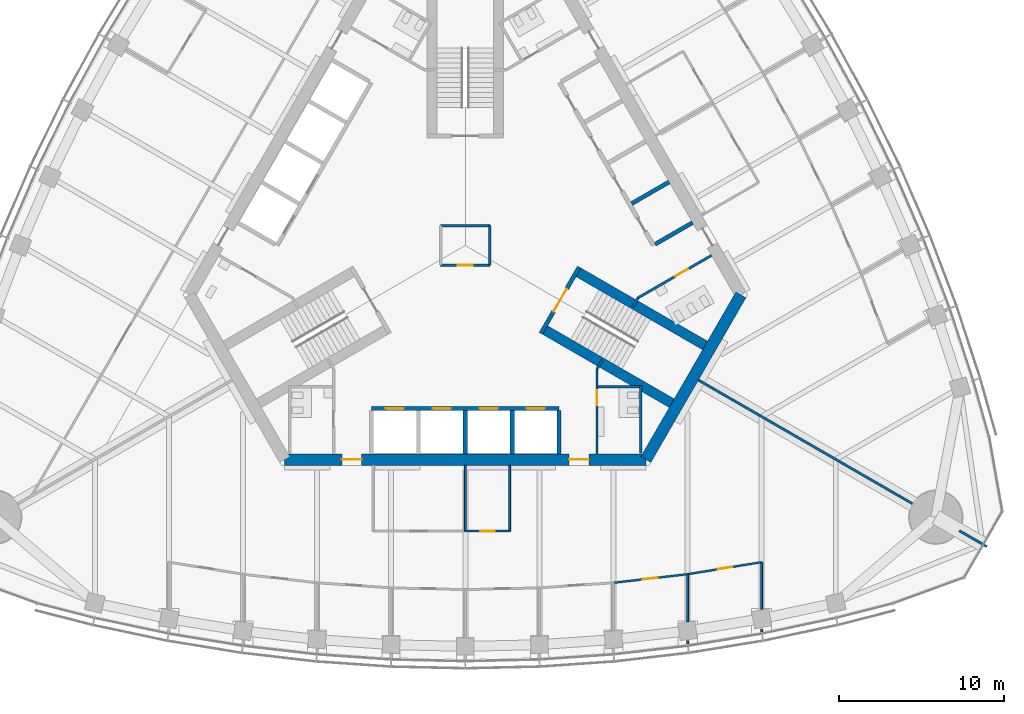
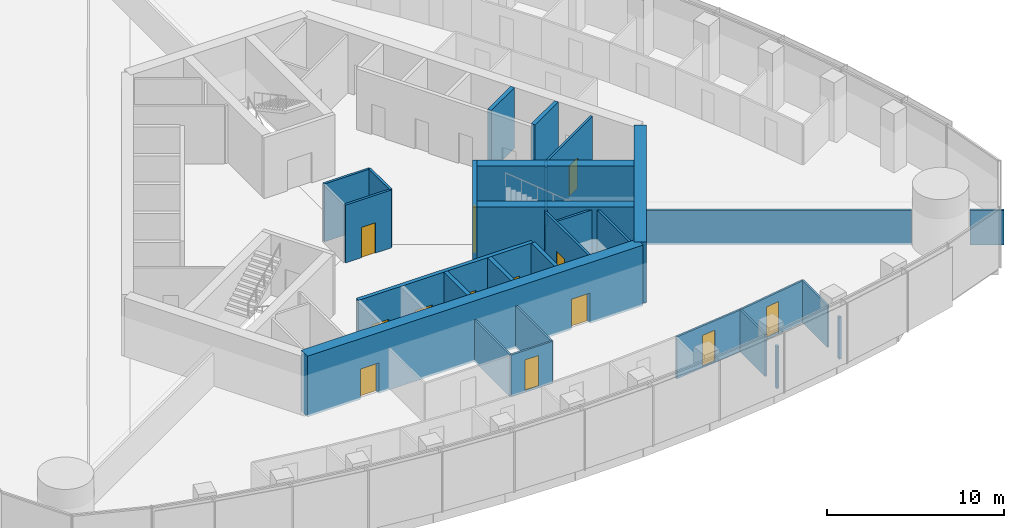
# One storey, part 12 of 20: 31 walls, 13 doors, 13 openings.
"""IFC4 building model written with IfcOpenShell, lengths in metres."""

from ifc_helpers import new_model, si_unit, direction, frame, frame_2d, origin, place, context, subcontext, project, spatial, rectangle, extrude, material, layer, layer_set, type_object, element, fill, save


model = new_model("IFC4")

# Units and contexts
model_context = context("Model", 3, precision=1e-05, world=origin(), true_north=direction((0.0, 1.0)))
body_context = subcontext(model_context, "Body", "Model", "MODEL_VIEW")
ifc_project = project(units=[si_unit("LENGTHUNIT", "METRE"), si_unit("AREAUNIT", "SQUARE_METRE"), si_unit("VOLUMEUNIT", "CUBIC_METRE"), si_unit("PLANEANGLEUNIT", "RADIAN"), si_unit("MASSUNIT", "GRAM", prefix="KILO")], contexts=[model_context])

# Site, building, storey
site_placement = place(None, origin())
site = spatial("IfcSite", under=ifc_project, at=site_placement, CompositionType="ELEMENT")
building_placement = place(site_placement, origin())
building = spatial("IfcBuilding", under=site, at=building_placement, Name="Trefoil Bronze Tower", CompositionType="ELEMENT")
storey_placement = place(building_placement, frame((0.0, 0.0, 231.699951171875)))
storey = spatial("IfcBuildingStorey", under=building, at=storey_placement, Name="L53", CompositionType="ELEMENT", Elevation=231.699951171875)

# Wall, openings, doors
ifc_material_1 = material(Name="Concrete B80", Category="concrete")
ifc_layer_1 = layer(ifc_material_1, 0.699951171875)
ifc_layer_set_1 = layer_set([ifc_layer_1], Name="Core wall 700")
wall_type_1 = type_object("IfcWallType", Name="Core wall 700", PredefinedType="SHEAR", material=ifc_layer_set_1)
wall_1_placement = place(storey_placement, frame((-10.9697265625, -13.0, 0.0), z_axis=(0.0, 0.0, 1.0), x_axis=(1.0, 0.0, 0.0)))
wall_1 = element("IfcWall", 1, at=wall_1_placement, inside=storey, type_object=wall_type_1, Name="Core long wall 1 L53", PredefinedType="SHEAR", context=body_context, shape_type="SweptSolid", body=[
    extrude(rectangle(XDim=21.939453125, YDim=0.699951171875, at=frame_2d((10.9697265625, 0.0))), origin(), (0.0, 0.0, 1.0), 4.199951171875),
])
opening_1_placement = place(wall_1_placement, frame((17.269775390625, 0.0, 0.0)))
opening_1 = element("IfcOpeningElement", 2, at=opening_1_placement, cuts=wall_1, Name="Opening D2", PredefinedType="OPENING", context=body_context, shape_type="SweptSolid", body=[
    extrude(rectangle(XDim=1.199951171875, YDim=2.10009765625, at=frame_2d((0.60009765625, 1.050048828125))), frame((0.0, 0.35986328125, 0.0), z_axis=(0.0, -1.0, 0.0), x_axis=(1.0, 0.0, 0.0)), (0.0, 0.0, 1.0), 0.719970703125),
])
opening_2_placement = place(wall_1_placement, frame((3.4697265625, 0.0, 0.0)))
opening_2 = element("IfcOpeningElement", 3, at=opening_2_placement, cuts=wall_1, Name="Opening D2", PredefinedType="OPENING", context=body_context, shape_type="SweptSolid", body=[
    extrude(rectangle(XDim=1.199951171875, YDim=2.10009765625, at=frame_2d((0.60009765625, 1.050048828125))), frame((0.0, 0.35986328125, 0.0), z_axis=(0.0, -1.0, 0.0), x_axis=(1.0, 0.0, 0.0)), (0.0, 0.0, 1.0), 0.719970703125),
])
ifc_material_2 = material(Name="Steel door", Category="steel")
door_type_1 = type_object("IfcDoorType", Name="Lobby door 1200", OperationType="SINGLE_SWING_RIGHT", PredefinedType="DOOR", material=ifc_material_2)
door_1_placement = place(opening_1_placement, origin())
door_1 = element("IfcDoor", 4, at=door_1_placement, inside=storey, type_object=door_type_1, Name="Lobby door F1+ L53", OperationType="SINGLE_SWING_RIGHT", OverallHeight=2.10009765625, OverallWidth=1.199951171875, PredefinedType="DOOR", context=body_context, shape_type="SweptSolid", body=[
    extrude(rectangle(XDim=1.199951171875, YDim=2.10009765625, at=frame_2d((0.60009765625, 1.050048828125))), frame((0.0, 0.02490234375, 0.0), z_axis=(0.0, -1.0, 0.0), x_axis=(1.0, 0.0, 0.0)), (0.0, 0.0, 1.0), 0.050048828125),
])
fill(opening_1, door_1)
door_2_placement = place(opening_2_placement, origin())
door_2 = element("IfcDoor", 5, at=door_2_placement, inside=storey, type_object=door_type_1, Name="Lobby door F1- L53", OperationType="SINGLE_SWING_LEFT", OverallHeight=2.10009765625, OverallWidth=1.199951171875, PredefinedType="DOOR", context=body_context, shape_type="SweptSolid", body=[
    extrude(rectangle(XDim=1.199951171875, YDim=2.10009765625, at=frame_2d((0.60009765625, 1.050048828125))), frame((0.0, 0.02490234375, 0.0), z_axis=(0.0, -1.0, 0.0), x_axis=(1.0, 0.0, 0.0)), (0.0, 0.0, 1.0), 0.050048828125),
])
fill(opening_2, door_2)

# Wall
wall_2_placement = place(storey_placement, frame((10.9697265625, -13.0, 0.0), z_axis=(0.0, 0.0, 1.0), x_axis=(0.499995765644, 0.866027848477, 0.0)))
element("IfcWall", 6, at=wall_2_placement, inside=storey, type_object=wall_type_1, Name="Core short wall 1 L53", PredefinedType="SHEAR", context=body_context, shape_type="SweptSolid", body=[
    extrude(rectangle(XDim=11.546875, YDim=0.699951171875, at=frame_2d((5.7734375, 0.0))), origin(), (0.0, 0.0, 1.0), 4.199951171875),
])

# Wall, opening, door
ifc_material_3 = material(Name="Glazed partition", Category="glass")
ifc_layer_2 = layer(ifc_material_3, 0.1201171875)
ifc_layer_set_2 = layer_set([ifc_layer_2], Name="Glazed partition 120")
wall_type_2 = type_object("IfcWallType", Name="Glazed partition 120", PredefinedType="PARTITIONING", material=ifc_layer_set_2)
wall_3_placement = place(storey_placement, frame((0.0, -17.35009765625, 0.0), z_axis=(0.0, 0.0, 1.0), x_axis=(1.0, 0.0, 0.0)))
wall_3 = element("IfcWall", 7, at=wall_3_placement, inside=storey, type_object=wall_type_2, Name="Partition F1 L53", PredefinedType="PARTITIONING", context=body_context, shape_type="SweptSolid", body=[
    extrude(rectangle(XDim=2.699951171875, YDim=0.1201171875, at=frame_2d((1.35009765625, 0.0))), origin(), (0.0, 0.0, 1.0), 2.900146484375),
])
opening_3_placement = place(wall_3_placement, frame((0.89990234375, 0.0, 0.14990234375)))
opening_3 = element("IfcOpeningElement", 8, at=opening_3_placement, cuts=wall_3, Name="Opening D8", PredefinedType="OPENING", context=body_context, shape_type="SweptSolid", body=[
    extrude(rectangle(XDim=0.89990234375, YDim=2.10009765625, at=frame_2d((0.449951171875, 1.050048828125))), frame((0.0, 0.070068359375, 0.0), z_axis=(0.0, -1.0, 0.0), x_axis=(1.0, 0.0, 0.0)), (0.0, 0.0, 1.0), 0.14013671875),
])
ifc_material_4 = material(Name="Timber door", Category="wood")
door_type_2 = type_object("IfcDoorType", Name="Office door 900", OperationType="SINGLE_SWING_LEFT", PredefinedType="DOOR", material=ifc_material_4)
door_3_placement = place(opening_3_placement, origin())
door_3 = element("IfcDoor", 9, at=door_3_placement, inside=storey, type_object=door_type_2, Name="Pantry door F1 L53", OperationType="SINGLE_SWING_LEFT", OverallHeight=2.10009765625, OverallWidth=0.89990234375, PredefinedType="DOOR", context=body_context, shape_type="SweptSolid", body=[
    extrude(rectangle(XDim=0.89990234375, YDim=2.10009765625, at=frame_2d((0.449951171875, 1.050048828125))), frame((0.0, 0.02490234375, 0.0), z_axis=(0.0, -1.0, 0.0), x_axis=(1.0, 0.0, 0.0)), (0.0, 0.0, 1.0), 0.050048828125),
])
fill(opening_3, door_3)

# Walls
for number, where, z_axis, x_axis, name in (
    (10, (2.699951171875, -13.35009765625, 0.0), (0.0, 0.0, 1.0), (0.0, -1.0, 0.0), "Partition F1 L53"),
    (11, (0.0, -13.35009765625, 0.0), (0.0, 0.0, 1.0), (0.0, -1.0, 0.0), "Partition F1 L53"),
):
    element("IfcWall", number, at=place(storey_placement, frame(where, z_axis=z_axis, x_axis=x_axis)), inside=storey, type_object=wall_type_2, Name=name, PredefinedType="PARTITIONING", context=body_context, shape_type="SweptSolid", body=[
        extrude(rectangle(XDim=4.0, YDim=0.1201171875, at=frame_2d((2.0, 0.0))), origin(), (0.0, 0.0, 1.0), 2.900146484375),
    ])

# Wall, opening, door
wall_4_placement = place(storey_placement, frame((13.5, -19.966064453125, 0.0), z_axis=(0.0, 0.0, 1.0), x_axis=(0.986986525477, 0.160802980469, 0.0)))
wall_4 = element("IfcWall", 12, at=wall_4_placement, inside=storey, type_object=wall_type_2, Name="Partition F1 L53", PredefinedType="PARTITIONING", context=body_context, shape_type="SweptSolid", body=[
    extrude(rectangle(XDim=4.559326171875, YDim=0.1201171875, at=frame_2d((2.27978515625, 0.0))), origin(), (0.0, 0.0, 1.0), 2.900146484375),
])
opening_4_placement = place(wall_4_placement, frame((1.85009765625, 0.0, 0.14990234375)))
opening_4 = element("IfcOpeningElement", 13, at=opening_4_placement, cuts=wall_4, Name="Opening D8", PredefinedType="OPENING", context=body_context, shape_type="SweptSolid", body=[
    extrude(rectangle(XDim=0.89990234375, YDim=2.10009765625, at=frame_2d((0.449951171875, 1.050048828125))), frame((0.0, 0.070068359375, 0.0), z_axis=(0.0, -1.0, 0.0), x_axis=(1.0, 0.0, 0.0)), (0.0, 0.0, 1.0), 0.14013671875),
])
door_4_placement = place(opening_4_placement, frame((0.89990234375, 0.0, 0.0), z_axis=(0.0, 0.0, 1.0), x_axis=(-1.0, 0.0, 0.0)))
door_4 = element("IfcDoor", 14, at=door_4_placement, inside=storey, type_object=door_type_2, Name="Office door F1 L53", OperationType="SINGLE_SWING_LEFT", OverallHeight=2.10009765625, OverallWidth=0.89990234375, PredefinedType="DOOR", context=body_context, shape_type="SweptSolid", body=[
    extrude(rectangle(XDim=0.89990234375, YDim=2.10009765625, at=frame_2d((0.449951171875, 1.050048828125))), frame((0.0, 0.02490234375, 0.0), z_axis=(0.0, -1.0, 0.0), x_axis=(1.0, 0.0, 0.0)), (0.0, 0.0, 1.0), 0.050048828125),
])
fill(opening_4, door_4)

wall_5_placement = place(storey_placement, frame((9.0, -20.486328125, 0.0), z_axis=(0.0, 0.0, 1.0), x_axis=(0.993382946625, 0.114849124309, 0.0)))
wall_5 = element("IfcWall", 15, at=wall_5_placement, inside=storey, type_object=wall_type_2, Name="Partition F1 L53", PredefinedType="PARTITIONING", context=body_context, shape_type="SweptSolid", body=[
    extrude(rectangle(XDim=4.530029296875, YDim=0.1201171875, at=frame_2d((2.26513671875, 0.0))), origin(), (0.0, 0.0, 1.0), 2.900146484375),
])
opening_5_placement = place(wall_5_placement, frame((1.800048828125, 0.0, 0.14990234375)))
opening_5 = element("IfcOpeningElement", 16, at=opening_5_placement, cuts=wall_5, Name="Opening D8", PredefinedType="OPENING", context=body_context, shape_type="SweptSolid", body=[
    extrude(rectangle(XDim=0.89990234375, YDim=2.10009765625, at=frame_2d((0.449951171875, 1.050048828125))), frame((0.0, 0.070068359375, 0.0), z_axis=(0.0, -1.0, 0.0), x_axis=(1.0, 0.0, 0.0)), (0.0, 0.0, 1.0), 0.14013671875),
])
door_5_placement = place(opening_5_placement, frame((0.89990234375, 0.0, 0.0), z_axis=(0.0, 0.0, 1.0), x_axis=(-1.0, 0.0, 0.0)))
door_5 = element("IfcDoor", 17, at=door_5_placement, inside=storey, type_object=door_type_2, Name="Office door F1 L53", OperationType="SINGLE_SWING_RIGHT", OverallHeight=2.10009765625, OverallWidth=0.89990234375, PredefinedType="DOOR", context=body_context, shape_type="SweptSolid", body=[
    extrude(rectangle(XDim=0.89990234375, YDim=2.10009765625, at=frame_2d((0.449951171875, 1.050048828125))), frame((0.0, 0.02490234375, 0.0), z_axis=(0.0, -1.0, 0.0), x_axis=(1.0, 0.0, 0.0)), (0.0, 0.0, 1.0), 0.050048828125),
])
fill(opening_5, door_5)

# Walls
wall_6_placement = place(storey_placement, frame((13.5, -19.966064453125, 0.0), z_axis=(0.0, 0.0, 1.0), x_axis=(0.0, -1.0, 0.0)))
element("IfcWall", 18, at=wall_6_placement, inside=storey, type_object=wall_type_2, Name="Partition F1 L53", PredefinedType="PARTITIONING", context=body_context, shape_type="SweptSolid", body=[
    extrude(rectangle(XDim=2.882080078125, YDim=0.1201171875, at=frame_2d((1.44091796875, 0.0))), origin(), (0.0, 0.0, 1.0), 2.900146484375),
])
wall_7_placement = place(storey_placement, frame((18.0, -19.23291015625, 0.0), z_axis=(0.0, 0.0, 1.0), x_axis=(0.0, -1.0, 0.0)))
element("IfcWall", 19, at=wall_7_placement, inside=storey, type_object=wall_type_2, Name="Partition F1 L53", PredefinedType="PARTITIONING", context=body_context, shape_type="SweptSolid", body=[
    extrude(rectangle(XDim=2.87158203125, YDim=0.1201171875, at=frame_2d((1.435791015625, 0.0))), origin(), (0.0, 0.0, 1.0), 2.900146484375),
])

# Wall, opening, door
ifc_material_5 = material(Name="Gypsum board on steel studs", Category="steel")
ifc_layer_3 = layer(ifc_material_5, 0.14990234375)
ifc_layer_set_3 = layer_set([ifc_layer_3], Name="Partition 150")
wall_type_3 = type_object("IfcWallType", Name="Partition 150", PredefinedType="PARTITIONING", material=ifc_layer_set_3)
wall_8_placement = place(storey_placement, frame((8.0, -7.5, 0.0), z_axis=(0.0, 0.0, 1.0), x_axis=(0.0, -1.0, 0.0)))
wall_8 = element("IfcWall", 20, at=wall_8_placement, inside=storey, type_object=wall_type_3, Name="Passage wall F1+ L53", PredefinedType="PARTITIONING", context=body_context, shape_type="SweptSolid", body=[
    extrude(rectangle(XDim=5.14990234375, YDim=0.14990234375, at=frame_2d((2.574951171875, 0.0))), origin(), (0.0, 0.0, 1.0), 4.0),
])
opening_6_placement = place(wall_8_placement, frame((1.300048828125, 0.0, 0.0)))
opening_6 = element("IfcOpeningElement", 21, at=opening_6_placement, cuts=wall_8, Name="Opening D3", PredefinedType="OPENING", context=body_context, shape_type="SweptSolid", body=[
    extrude(rectangle(XDim=0.89990234375, YDim=2.10009765625, at=frame_2d((0.449951171875, 1.050048828125))), frame((0.0, 0.0849609375, 0.0), z_axis=(0.0, -1.0, 0.0), x_axis=(1.0, 0.0, 0.0)), (0.0, 0.0, 1.0), 0.169921875),
])
ifc_material_6 = material(Name="Timber door", Category="wood")
door_type_3 = type_object("IfcDoorType", Name="WC door 900", OperationType="SINGLE_SWING_LEFT", PredefinedType="DOOR", material=ifc_material_6)
door_6_placement = place(opening_6_placement, origin())
door_6 = element("IfcDoor", 22, at=door_6_placement, inside=storey, type_object=door_type_3, Name="WC (men) door L53", OperationType="SINGLE_SWING_LEFT", OverallHeight=2.10009765625, OverallWidth=0.89990234375, PredefinedType="DOOR", context=body_context, shape_type="SweptSolid", body=[
    extrude(rectangle(XDim=0.89990234375, YDim=2.10009765625, at=frame_2d((0.449951171875, 1.050048828125))), frame((0.0, 0.02490234375, 0.0), z_axis=(0.0, -1.0, 0.0), x_axis=(1.0, 0.0, 0.0)), (0.0, 0.0, 1.0), 0.050048828125),
])
fill(opening_6, door_6)

wall_9_placement = place(storey_placement, frame((10.4951171875, -3.17822265625, 0.0), z_axis=(0.0, 0.0, 1.0), x_axis=(0.866037967349, 0.499978238636, 0.0)))
wall_9 = element("IfcWall", 23, at=wall_9_placement, inside=storey, type_object=wall_type_3, Name="Passage wall F2- L53", PredefinedType="PARTITIONING", context=body_context, shape_type="SweptSolid", body=[
    extrude(rectangle(XDim=5.150146484375, YDim=0.14990234375, at=frame_2d((2.5751953125, 0.0))), origin(), (0.0, 0.0, 1.0), 4.0),
])
opening_7_placement = place(wall_9_placement, frame((2.60009765625, 0.0, 0.0)))
opening_7 = element("IfcOpeningElement", 24, at=opening_7_placement, cuts=wall_9, Name="Opening D3", PredefinedType="OPENING", context=body_context, shape_type="SweptSolid", body=[
    extrude(rectangle(XDim=0.89990234375, YDim=2.10009765625, at=frame_2d((0.449951171875, 1.050048828125))), frame((0.0, 0.0849609375, 0.0), z_axis=(0.0, -1.0, 0.0), x_axis=(1.0, 0.0, 0.0)), (0.0, 0.0, 1.0), 0.169921875),
])
door_7_placement = place(opening_7_placement, frame((0.89990234375, 0.0, 0.0), z_axis=(0.0, 0.0, 1.0), x_axis=(-1.0, 0.0, 0.0)))
door_7 = element("IfcDoor", 25, at=door_7_placement, inside=storey, type_object=door_type_3, Name="WC (women) door L53", OperationType="SINGLE_SWING_LEFT", OverallHeight=2.10009765625, OverallWidth=0.89990234375, PredefinedType="DOOR", context=body_context, shape_type="SweptSolid", body=[
    extrude(rectangle(XDim=0.89990234375, YDim=2.10009765625, at=frame_2d((0.449951171875, 1.050048828125))), frame((0.0, 0.02490234375, 0.0), z_axis=(0.0, -1.0, 0.0), x_axis=(1.0, 0.0, 0.0)), (0.0, 0.0, 1.0), 0.050048828125),
])
fill(opening_7, door_7)

# Walls
for number, where, z_axis, x_axis, name in (
    (26, (8.0, -7.5, 0.0), (0.0, 0.0, 1.0), (0.499842556608, 0.866116284689, 0.0), "WC wall ST1-1 L53"),
    (27, (10.4951171875, -3.17822265625, 0.0), (0.0, 0.0, 1.0), (-0.499842556608, -0.866116284689, 0.0), "WC wall ST1+1 L53"),
):
    element("IfcWall", number, at=place(storey_placement, frame(where, z_axis=z_axis, x_axis=x_axis)), inside=storey, type_object=wall_type_3, Name=name, PredefinedType="PARTITIONING", context=body_context, shape_type="SweptSolid", body=[
        extrude(rectangle(XDim=0.645263671875, YDim=0.14990234375, at=frame_2d((0.32275390625, 0.0))), origin(), (0.0, 0.0, 1.0), 4.0),
    ])
wall_10_placement = place(storey_placement, frame((10.659912109375, -8.5, 0.0), z_axis=(0.0, 0.0, 1.0), x_axis=(0.0, -1.0, 0.0)))
element("IfcWall", 28, at=wall_10_placement, inside=storey, type_object=wall_type_3, Name="WC partition WC (men) L53", PredefinedType="PARTITIONING", context=body_context, shape_type="SweptSolid", body=[
    extrude(rectangle(XDim=4.10009765625, YDim=0.14990234375, at=frame_2d((2.050048828125, 0.0))), origin(), (0.0, 0.0, 1.0), 4.0),
])
wall_11_placement = place(storey_placement, frame((8.074951171875, -8.574951171875, 0.0), z_axis=(0.0, 0.0, 1.0), x_axis=(1.0, 0.0, 0.0)))
element("IfcWall", 29, at=wall_11_placement, inside=storey, type_object=wall_type_3, Name="WC partition WC (men) L53", PredefinedType="PARTITIONING", context=body_context, shape_type="SweptSolid", body=[
    extrude(rectangle(XDim=2.510009765625, YDim=0.14990234375, at=frame_2d((1.2548828125, 0.0))), origin(), (0.0, 0.0, 1.0), 4.0),
])
wall_12_placement = place(storey_placement, frame((13.5, -24.0048828125, 0.0), z_axis=(0.0, 0.0, 1.0), x_axis=(0.0, -1.0, 0.0)))
element("IfcWall", 30, at=wall_12_placement, inside=storey, type_object=wall_type_3, Name="Partition F1 L53", PredefinedType="PARTITIONING", context=body_context, shape_type="SweptSolid", body=[
    extrude(rectangle(XDim=0.206298828125, YDim=0.14990234375, at=frame_2d((0.10302734375, 0.0))), origin(), (0.0, 0.0, 1.0), 2.900146484375),
])
wall_13_placement = place(storey_placement, frame((18.0, -23.285888671875, 0.0), z_axis=(0.0, 0.0, 1.0), x_axis=(0.0, -1.0, 0.0)))
element("IfcWall", 31, at=wall_13_placement, inside=storey, type_object=wall_type_3, Name="Partition F1 L53", PredefinedType="PARTITIONING", context=body_context, shape_type="SweptSolid", body=[
    extrude(rectangle(XDim=0.192138671875, YDim=0.14990234375, at=frame_2d((0.09619140625, 0.0))), origin(), (0.0, 0.0, 1.0), 2.900146484375),
])
ifc_material_7 = material(Name="Gypsum board on steel studs", Category="steel")
ifc_layer_4 = layer(ifc_material_7, 0.14990234375)
ifc_layer_set_4 = layer_set([ifc_layer_4], Name="Party wall 150")
wall_type_4 = type_object("IfcWallType", Name="Party wall 150", PredefinedType="PARTITIONING", material=ifc_layer_set_4)
wall_14_placement = place(storey_placement, frame((14.159423828125, -8.175048828125, 0.0), z_axis=(0.0, 0.0, 1.0), x_axis=(0.866027028085, -0.499997186618, 0.0)))
element("IfcWall", 32, at=wall_14_placement, inside=storey, type_object=wall_type_4, Name="Party wall K1 L53", PredefinedType="PARTITIONING", context=body_context, shape_type="SweptSolid", body=[
    extrude(rectangle(XDim=15.0, YDim=0.14990234375, at=frame_2d((7.5, 0.0))), origin(), (0.0, 0.0, 1.0), 2.400146484375),
])
wall_15_placement = place(storey_placement, frame((30.0078125, -17.324951171875, 0.0), z_axis=(0.0, 0.0, 1.0), x_axis=(0.866013246922, -0.500021055713, 0.0)))
element("IfcWall", 33, at=wall_15_placement, inside=storey, type_object=wall_type_4, Name="Party wall K1 L53", PredefinedType="PARTITIONING", context=body_context, shape_type="SweptSolid", body=[
    extrude(rectangle(XDim=1.9345703125, YDim=0.14990234375, at=frame_2d((0.96728515625, 0.0))), origin(), (0.0, 0.0, 1.0), 2.400146484375),
])

# Wall, opening, door
ifc_material_8 = material(Name="Gypsum board on steel studs", Category="steel")
ifc_layer_5 = layer(ifc_material_8, 0.14990234375)
ifc_layer_set_5 = layer_set([ifc_layer_5], Name="Riser wall 150")
wall_type_5 = type_object("IfcWallType", Name="Riser wall 150", PredefinedType="PARTITIONING", material=ifc_layer_set_5)
wall_16_placement = place(storey_placement, frame((-1.5, -1.199951171875, 0.0), z_axis=(0.0, 0.0, 1.0), x_axis=(1.0, 0.0, 0.0)))
wall_16 = element("IfcWall", 34, at=wall_16_placement, inside=storey, type_object=wall_type_5, Name="Riser wall L53", PredefinedType="PARTITIONING", context=body_context, shape_type="SweptSolid", body=[
    extrude(rectangle(XDim=3.0, YDim=0.14990234375, at=frame_2d((1.5, 0.0))), origin(), (0.0, 0.0, 1.0), 4.0),
])
opening_8_placement = place(wall_16_placement, frame((1.050048828125, 0.0, 0.0)))
opening_8 = element("IfcOpeningElement", 35, at=opening_8_placement, cuts=wall_16, Name="Opening D4", PredefinedType="OPENING", context=body_context, shape_type="SweptSolid", body=[
    extrude(rectangle(XDim=0.89990234375, YDim=2.10009765625, at=frame_2d((0.449951171875, 1.050048828125))), frame((0.0, 0.0849609375, 0.0), z_axis=(0.0, -1.0, 0.0), x_axis=(1.0, 0.0, 0.0)), (0.0, 0.0, 1.0), 0.169921875),
])
ifc_material_9 = material(Name="Steel door", Category="steel")
door_type_4 = type_object("IfcDoorType", Name="Riser door 900", OperationType="SINGLE_SWING_LEFT", PredefinedType="DOOR", material=ifc_material_9)
door_8_placement = place(opening_8_placement, frame((0.89990234375, 0.0, 0.0), z_axis=(0.0, 0.0, 1.0), x_axis=(-1.0, 0.0, 0.0)))
door_8 = element("IfcDoor", 36, at=door_8_placement, inside=storey, type_object=door_type_4, Name="Riser door L53", OperationType="SINGLE_SWING_LEFT", OverallHeight=2.10009765625, OverallWidth=0.89990234375, PredefinedType="DOOR", context=body_context, shape_type="SweptSolid", body=[
    extrude(rectangle(XDim=0.89990234375, YDim=2.10009765625, at=frame_2d((0.449951171875, 1.050048828125))), frame((0.0, 0.02490234375, 0.0), z_axis=(0.0, -1.0, 0.0), x_axis=(1.0, 0.0, 0.0)), (0.0, 0.0, 1.0), 0.050048828125),
])
fill(opening_8, door_8)

# Walls
wall_17_placement = place(storey_placement, frame((1.5, -1.199951171875, 0.0), z_axis=(0.0, 0.0, 1.0), x_axis=(0.0, 1.0, 0.0)))
element("IfcWall", 37, at=wall_17_placement, inside=storey, type_object=wall_type_5, Name="Riser wall L53", PredefinedType="PARTITIONING", context=body_context, shape_type="SweptSolid", body=[
    extrude(rectangle(XDim=2.39990234375, YDim=0.14990234375, at=frame_2d((1.199951171875, 0.0))), origin(), (0.0, 0.0, 1.0), 4.0),
])
wall_18_placement = place(storey_placement, frame((1.5, 1.199951171875, 0.0), z_axis=(0.0, 0.0, 1.0), x_axis=(-1.0, 0.0, 0.0)))
element("IfcWall", 38, at=wall_18_placement, inside=storey, type_object=wall_type_5, Name="Riser wall L53", PredefinedType="PARTITIONING", context=body_context, shape_type="SweptSolid", body=[
    extrude(rectangle(XDim=3.0, YDim=0.14990234375, at=frame_2d((1.5, 0.0))), origin(), (0.0, 0.0, 1.0), 4.0),
])

# Wall, openings, doors
ifc_material_10 = material(Name="Concrete B80", Category="concrete")
ifc_layer_6 = layer(ifc_material_10, 0.25)
ifc_layer_set_6 = layer_set([ifc_layer_6], Name="Shaft wall 250")
wall_type_6 = type_object("IfcWallType", Name="Shaft wall 250", PredefinedType="SHEAR", material=ifc_layer_set_6)
wall_19_placement = place(storey_placement, frame((-5.699951171875, -9.89990234375, 0.0), z_axis=(0.0, 0.0, 1.0), x_axis=(1.0, 0.0, 0.0)))
wall_19 = element("IfcWall", 39, at=wall_19_placement, inside=storey, type_object=wall_type_6, Name="Lift shaft front wall A L53", PredefinedType="SHEAR", context=body_context, shape_type="SweptSolid", body=[
    extrude(rectangle(XDim=11.39990234375, YDim=0.25, at=frame_2d((5.699951171875, 0.0))), origin(), (0.0, 0.0, 1.0), 4.199951171875),
])
opening_9_placement = place(wall_19_placement, frame((0.875, 0.0, 0.0)))
opening_9 = element("IfcOpeningElement", 40, at=opening_9_placement, cuts=wall_19, Name="Opening LD-P31", PredefinedType="OPENING", context=body_context, shape_type="SweptSolid", body=[
    extrude(rectangle(XDim=1.10009765625, YDim=2.199951171875, at=frame_2d((0.550048828125, 1.10009765625))), frame((0.0, 0.135009765625, 0.0), z_axis=(0.0, -1.0, 0.0), x_axis=(1.0, 0.0, 0.0)), (0.0, 0.0, 1.0), 0.27001953125),
])
opening_10_placement = place(wall_19_placement, frame((3.72509765625, 0.0, 0.0)))
opening_10 = element("IfcOpeningElement", 41, at=opening_10_placement, cuts=wall_19, Name="Opening LD-P32", PredefinedType="OPENING", context=body_context, shape_type="SweptSolid", body=[
    extrude(rectangle(XDim=1.10009765625, YDim=2.199951171875, at=frame_2d((0.550048828125, 1.10009765625))), frame((0.0, 0.135009765625, 0.0), z_axis=(0.0, -1.0, 0.0), x_axis=(1.0, 0.0, 0.0)), (0.0, 0.0, 1.0), 0.27001953125),
])
opening_11_placement = place(wall_19_placement, frame((6.574951171875, 0.0, 0.0)))
opening_11 = element("IfcOpeningElement", 42, at=opening_11_placement, cuts=wall_19, Name="Opening LD-P33", PredefinedType="OPENING", context=body_context, shape_type="SweptSolid", body=[
    extrude(rectangle(XDim=1.10009765625, YDim=2.199951171875, at=frame_2d((0.550048828125, 1.10009765625))), frame((0.0, 0.135009765625, 0.0), z_axis=(0.0, -1.0, 0.0), x_axis=(1.0, 0.0, 0.0)), (0.0, 0.0, 1.0), 0.27001953125),
])
opening_12_placement = place(wall_19_placement, frame((9.425048828125, 0.0, 0.0)))
opening_12 = element("IfcOpeningElement", 43, at=opening_12_placement, cuts=wall_19, Name="Opening LD-P34", PredefinedType="OPENING", context=body_context, shape_type="SweptSolid", body=[
    extrude(rectangle(XDim=1.10009765625, YDim=2.199951171875, at=frame_2d((0.550048828125, 1.10009765625))), frame((0.0, 0.135009765625, 0.0), z_axis=(0.0, -1.0, 0.0), x_axis=(1.0, 0.0, 0.0)), (0.0, 0.0, 1.0), 0.27001953125),
])
ifc_material_11 = material(Name="Steel door", Category="steel")
door_type_5 = type_object("IfcDoorType", Name="Lift landing door 1100", OperationType="DOUBLE_DOOR_SLIDING", PredefinedType="DOOR", material=ifc_material_11)
door_9_placement = place(opening_9_placement, origin())
door_9 = element("IfcDoor", 44, at=door_9_placement, inside=storey, type_object=door_type_5, Name="Lift P31 landing door L53", OperationType="DOUBLE_DOOR_SLIDING", OverallHeight=2.199951171875, OverallWidth=1.10009765625, PredefinedType="DOOR", context=body_context, shape_type="SweptSolid", body=[
    extrude(rectangle(XDim=1.10009765625, YDim=2.199951171875, at=frame_2d((0.550048828125, 1.10009765625))), frame((0.0, 0.02490234375, 0.0), z_axis=(0.0, -1.0, 0.0), x_axis=(1.0, 0.0, 0.0)), (0.0, 0.0, 1.0), 0.050048828125),
])
fill(opening_9, door_9)
door_10_placement = place(opening_10_placement, origin())
door_10 = element("IfcDoor", 45, at=door_10_placement, inside=storey, type_object=door_type_5, Name="Lift P32 landing door L53", OperationType="DOUBLE_DOOR_SLIDING", OverallHeight=2.199951171875, OverallWidth=1.10009765625, PredefinedType="DOOR", context=body_context, shape_type="SweptSolid", body=[
    extrude(rectangle(XDim=1.10009765625, YDim=2.199951171875, at=frame_2d((0.550048828125, 1.10009765625))), frame((0.0, 0.02490234375, 0.0), z_axis=(0.0, -1.0, 0.0), x_axis=(1.0, 0.0, 0.0)), (0.0, 0.0, 1.0), 0.050048828125),
])
fill(opening_10, door_10)
door_11_placement = place(opening_11_placement, origin())
door_11 = element("IfcDoor", 46, at=door_11_placement, inside=storey, type_object=door_type_5, Name="Lift P33 landing door L53", OperationType="DOUBLE_DOOR_SLIDING", OverallHeight=2.199951171875, OverallWidth=1.10009765625, PredefinedType="DOOR", context=body_context, shape_type="SweptSolid", body=[
    extrude(rectangle(XDim=1.10009765625, YDim=2.199951171875, at=frame_2d((0.550048828125, 1.10009765625))), frame((0.0, 0.02490234375, 0.0), z_axis=(0.0, -1.0, 0.0), x_axis=(1.0, 0.0, 0.0)), (0.0, 0.0, 1.0), 0.050048828125),
])
fill(opening_11, door_11)
door_12_placement = place(opening_12_placement, origin())
door_12 = element("IfcDoor", 47, at=door_12_placement, inside=storey, type_object=door_type_5, Name="Lift P34 landing door L53", OperationType="DOUBLE_DOOR_SLIDING", OverallHeight=2.199951171875, OverallWidth=1.10009765625, PredefinedType="DOOR", context=body_context, shape_type="SweptSolid", body=[
    extrude(rectangle(XDim=1.10009765625, YDim=2.199951171875, at=frame_2d((0.550048828125, 1.10009765625))), frame((0.0, 0.02490234375, 0.0), z_axis=(0.0, -1.0, 0.0), x_axis=(1.0, 0.0, 0.0)), (0.0, 0.0, 1.0), 0.050048828125),
])
fill(opening_12, door_12)

# Walls
for number, where, z_axis, x_axis, name in (
    (48, (0.0, -10.02490234375, 0.0), (0.0, 0.0, 1.0), (0.0, -1.0, 0.0), "Lift shaft side wall A2 L53"),
    (49, (2.85009765625, -10.02490234375, 0.0), (0.0, 0.0, 1.0), (0.0, -1.0, 0.0), "Lift shaft side wall A3 L53"),
    (50, (5.699951171875, -10.02490234375, 0.0), (0.0, 0.0, 1.0), (0.0, -1.0, 0.0), "Lift shaft side wall A4 L53"),
    (51, (11.531982421875, 0.076171875, 0.0), (0.0, 0.0, 1.0), (0.866013657776, 0.500020344131, 0.0), "Lift shaft side wall B0 L53"),
    (52, (10.10693359375, 2.54443359375, 0.0), (0.0, 0.0, 1.0), (0.866013657776, 0.500020344131, 0.0), "Lift shaft side wall B1 L53"),
):
    element("IfcWall", number, at=place(storey_placement, frame(where, z_axis=z_axis, x_axis=x_axis)), inside=storey, type_object=wall_type_6, Name=name, PredefinedType="SHEAR", context=body_context, shape_type="SweptSolid", body=[
        extrude(rectangle(XDim=2.625, YDim=0.25, at=frame_2d((1.3125, 0.0))), origin(), (0.0, 0.0, 1.0), 4.199951171875),
    ])

# Wall, opening, door
wall_20_placement = place(storey_placement, frame((4.5966796875, -5.338623046875, 0.0), z_axis=(0.0, 0.0, 1.0), x_axis=(0.499984536904, 0.866034331223, 0.0)))
wall_20 = element("IfcWall", 53, at=wall_20_placement, inside=storey, type_object=wall_type_6, Name="Stair end wall ST1 L53", PredefinedType="SHEAR", context=body_context, shape_type="SweptSolid", body=[
    extrude(rectangle(XDim=4.650146484375, YDim=0.25, at=frame_2d((2.3251953125, 0.0))), origin(), (0.0, 0.0, 1.0), 4.199951171875),
])
opening_13_placement = place(wall_20_placement, frame((1.52490234375, 0.0, 0.0)))
opening_13 = element("IfcOpeningElement", 54, at=opening_13_placement, cuts=wall_20, Name="Opening D1", PredefinedType="OPENING", context=body_context, shape_type="SweptSolid", body=[
    extrude(rectangle(XDim=1.60009765625, YDim=2.10009765625, at=frame_2d((0.800048828125, 1.050048828125))), frame((0.0, 0.135009765625, 0.0), z_axis=(0.0, -1.0, 0.0), x_axis=(1.0, 0.0, 0.0)), (0.0, 0.0, 1.0), 0.27001953125),
])
ifc_material_12 = material(Name="Steel door", Category="steel")
door_type_6 = type_object("IfcDoorType", Name="Stair door 1600", OperationType="DOUBLE_DOOR_SINGLE_SWING", PredefinedType="DOOR", material=ifc_material_12)
door_13_placement = place(opening_13_placement, frame((1.60009765625, 0.0, 0.0), z_axis=(0.0, 0.0, 1.0), x_axis=(-1.0, 0.0, 0.0)))
door_13 = element("IfcDoor", 55, at=door_13_placement, inside=storey, type_object=door_type_6, Name="Stair door ST1 L53", OperationType="DOUBLE_DOOR_SINGLE_SWING", OverallHeight=2.10009765625, OverallWidth=1.60009765625, PredefinedType="DOOR", context=body_context, shape_type="SweptSolid", body=[
    extrude(rectangle(XDim=1.60009765625, YDim=2.10009765625, at=frame_2d((0.800048828125, 1.050048828125))), frame((0.0, 0.02490234375, 0.0), z_axis=(0.0, -1.0, 0.0), x_axis=(1.0, 0.0, 0.0)), (0.0, 0.0, 1.0), 0.050048828125),
])
fill(opening_13, door_13)

# Walls
ifc_material_13 = material(Name="Concrete B80", Category="concrete")
ifc_layer_7 = layer(ifc_material_13, 0.60009765625)
ifc_layer_set_7 = layer_set([ifc_layer_7], Name="Stair wall 600")
wall_type_7 = type_object("IfcWallType", Name="Stair wall 600", PredefinedType="SHEAR", material=ifc_layer_set_7)
for number, where, z_axis, x_axis, name in (
    (56, (4.638427734375, -5.01611328125, 0.0), (0.0, 0.0, 1.0), (0.866021621257, -0.500006551472, 0.0), "Stair wall ST1 L53"),
    (57, (6.663330078125, -1.5087890625, 0.0), (0.0, 0.0, 1.0), (0.866028310072, -0.499994966129, 0.0), "Stair wall ST1 L53"),
):
    element("IfcWall", number, at=place(storey_placement, frame(where, z_axis=z_axis, x_axis=x_axis)), inside=storey, type_object=wall_type_7, Name=name, PredefinedType="SHEAR", context=body_context, shape_type="SweptSolid", body=[
        extrude(rectangle(XDim=9.125, YDim=0.60009765625, at=frame_2d((4.5625, 0.0))), origin(), (0.0, 0.0, 1.0), 4.199951171875),
    ])

save(model, "model.ifc")
